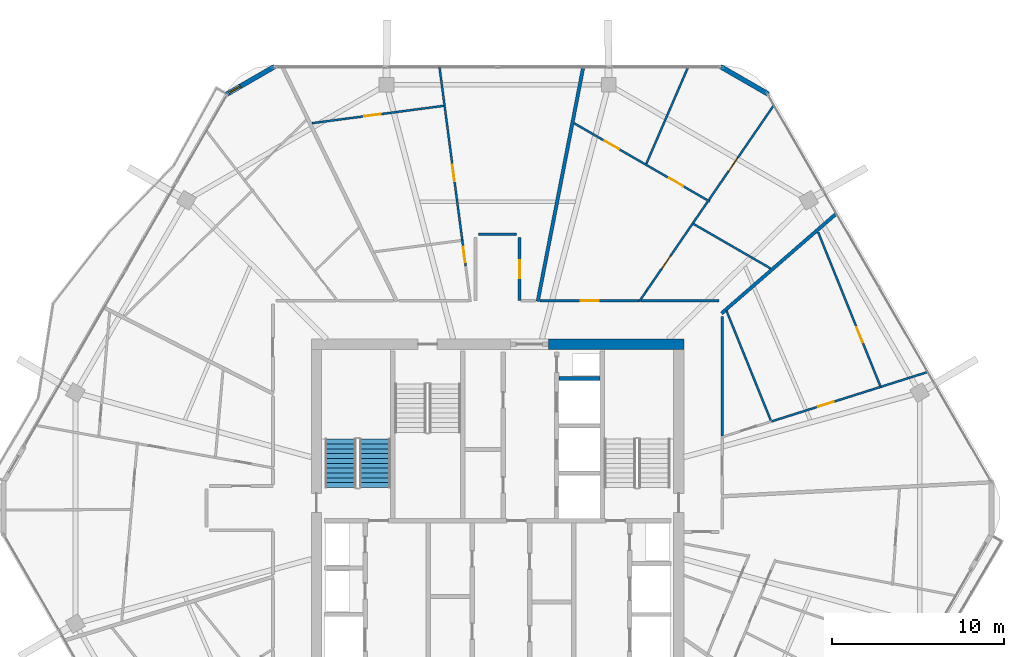
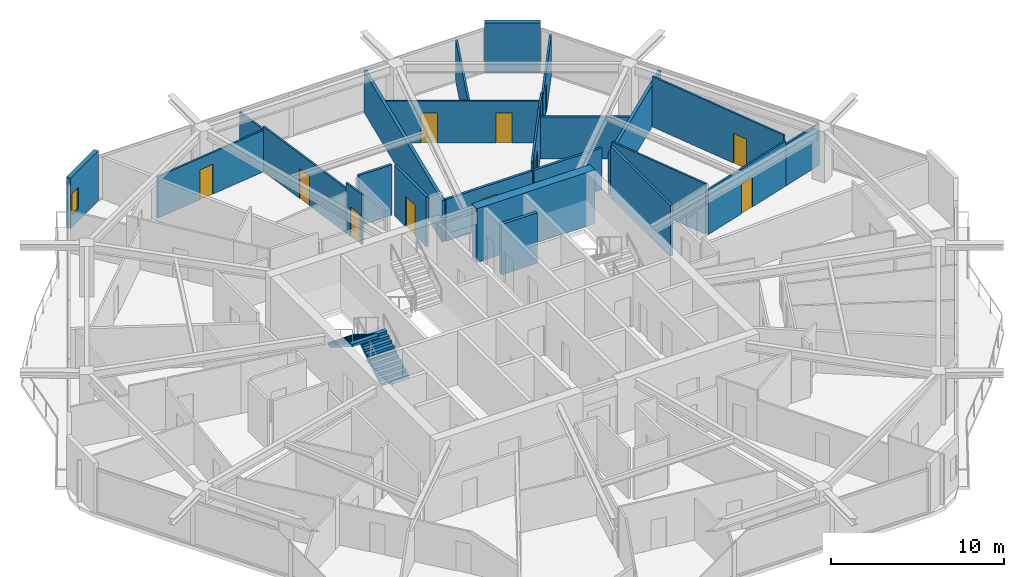
# One storey, part 22 of 26: 26 walls, 11 doors, 2 stair flights, 1 window, 12 openings, 1 element without a shape of its own.
"""IFC4 building model written with IfcOpenShell, lengths in metres."""

from ifc_helpers import new_model, si_unit, direction, frame, frame_2d, origin, place, context, subcontext, project, spatial, polyline, rectangle, outline, extrude, material, layer, layer_set, type_object, element, fill, aggregate, save


model = new_model("IFC4")

# Units and contexts
model_context = context("Model", 3, precision=1e-05, world=origin(), true_north=direction((0.0, 1.0)))
body_context = subcontext(model_context, "Body", "Model", "MODEL_VIEW")
ifc_project = project(units=[si_unit("LENGTHUNIT", "METRE"), si_unit("AREAUNIT", "SQUARE_METRE"), si_unit("VOLUMEUNIT", "CUBIC_METRE"), si_unit("PLANEANGLEUNIT", "RADIAN"), si_unit("MASSUNIT", "GRAM", prefix="KILO")], contexts=[model_context])

# Site, building, storey
site_placement = place(None, origin())
site = spatial("IfcSite", under=ifc_project, at=site_placement, CompositionType="ELEMENT")
building_placement = place(site_placement, origin())
building = spatial("IfcBuilding", under=site, at=building_placement, Name="Zuhravey Tower", CompositionType="ELEMENT")
storey_placement = place(building_placement, frame((0.0, 0.0, 280.60009765625)))
storey = spatial("IfcBuildingStorey", under=building, at=storey_placement, Name="L71", CompositionType="ELEMENT", Elevation=280.60009765625)

# Wall
ifc_material_1 = material(Name="Concrete C50/60", Category="concrete")
ifc_layer_1 = layer(ifc_material_1, 0.60009765625)
ifc_layer_set_1 = layer_set([ifc_layer_1], Name="Concrete C50/60")
wall_type_1 = type_object("IfcWallType", Name="Core Shear Wall 600", PredefinedType="SHEAR", material=ifc_layer_set_1)
wall_1_placement = place(storey_placement, frame((46.800048828125, 41.5, 0.0), z_axis=(0.0, 0.0, 1.0), x_axis=(-1.0, 0.0, 0.0)))
element("IfcWall", 1, at=wall_1_placement, inside=storey, type_object=wall_type_1, Name="L71 North-East Core Shear Wall CW60", PredefinedType="SHEAR", context=body_context, shape_type="SweptSolid", body=[
    extrude(rectangle(XDim=7.85009765625, YDim=0.60009765625, at=frame_2d((3.925048828125, 0.0))), origin(), (0.0, 0.0, 1.0), 3.7998046875),
])

# Wall, opening, door
ifc_material_2 = material(Name="Gypsum fire-rated stud partition")
ifc_layer_2 = layer(ifc_material_2, 0.159912109375)
ifc_layer_set_2 = layer_set([ifc_layer_2], Name="Gypsum fire-rated stud partition")
wall_type_2 = type_object("IfcWallType", Name="Corridor Fire Partition 160", PredefinedType="PARTITIONING", material=ifc_layer_set_2)
wall_2_placement = place(storey_placement, frame((44.22509765625, 44.030029296875, 0.0), z_axis=(0.0, 0.0, 1.0), x_axis=(-1.0, 0.0, 0.0)))
wall_2 = element("IfcWall", 2, at=wall_2_placement, inside=storey, type_object=wall_type_2, Name="L71 IW16 Partition 055", PredefinedType="PARTITIONING", context=body_context, shape_type="SweptSolid", body=[
    extrude(rectangle(XDim=5.757080078125, YDim=0.159912109375, at=frame_2d((2.87841796875, 0.0))), origin(), (0.0, 0.0, 1.0), 2.949951171875),
])
opening_1_placement = place(wall_2_placement, frame((2.353759765625, 0.0, 0.0)))
opening_1 = element("IfcOpeningElement", 3, at=opening_1_placement, cuts=wall_2, Name="Opening APD1", PredefinedType="OPENING", context=body_context, shape_type="SweptSolid", body=[
    extrude(rectangle(XDim=1.050048828125, YDim=2.14990234375, at=frame_2d((0.52490234375, 1.074951171875))), frame((0.0, 0.092041015625, 0.0), z_axis=(0.0, -1.0, 0.0), x_axis=(1.0, 0.0, 0.0)), (0.0, 0.0, 1.0), 0.183837890625),
])
ifc_material_3 = material(Name="Solid-core oak fire-rated leaf")
door_type_1 = type_object("IfcDoorType", Name="Apartment Entrance Fire Door 1050x2150", OperationType="NOTDEFINED", PredefinedType="DOOR", material=ifc_material_3)
door_1_placement = place(opening_1_placement, frame((1.050048828125, 0.0, 0.0), z_axis=(0.0, 0.0, 1.0), x_axis=(-1.0, 0.0, 0.0)))
door_1 = element("IfcDoor", 4, at=door_1_placement, inside=storey, type_object=door_type_1, Name="L71 Door 055.1", OperationType="SINGLE_SWING_RIGHT", OverallHeight=2.14990234375, OverallWidth=1.050048828125, PredefinedType="DOOR", context=body_context, shape_type="SweptSolid", body=[
    extrude(rectangle(XDim=1.050048828125, YDim=2.14990234375, at=frame_2d((0.52490234375, 1.074951171875))), frame((0.0, 0.02490234375, 0.0), z_axis=(0.0, -1.0, 0.0), x_axis=(1.0, 0.0, 0.0)), (0.0, 0.0, 1.0), 0.050048828125),
])
fill(opening_1, door_1)

wall_3_placement = place(storey_placement, frame((37.280029296875, 44.030029296875, 0.0), z_axis=(0.0, 0.0, 1.0), x_axis=(0.0, 1.0, 0.0)))
wall_3 = element("IfcWall", 5, at=wall_3_placement, inside=storey, type_object=wall_type_2, Name="L71 IW16 Partition 059", PredefinedType="PARTITIONING", context=body_context, shape_type="SweptSolid", body=[
    extrude(rectangle(XDim=3.669921875, YDim=0.159912109375, at=frame_2d((1.8349609375, 0.0))), origin(), (0.0, 0.0, 1.0), 3.5498046875),
])
opening_2_placement = place(wall_3_placement, frame((1.31005859375, 0.0, 0.0)))
opening_2 = element("IfcOpeningElement", 6, at=opening_2_placement, cuts=wall_3, Name="Opening APD1", PredefinedType="OPENING", context=body_context, shape_type="SweptSolid", body=[
    extrude(rectangle(XDim=1.050048828125, YDim=2.14990234375, at=frame_2d((0.52490234375, 1.074951171875))), frame((0.0, 0.092041015625, 0.0), z_axis=(0.0, -1.0, 0.0), x_axis=(1.0, 0.0, 0.0)), (0.0, 0.0, 1.0), 0.183837890625),
])
door_2_placement = place(opening_2_placement, origin())
door_2 = element("IfcDoor", 7, at=door_2_placement, inside=storey, type_object=door_type_1, Name="L71 Door 059.1", OperationType="SINGLE_SWING_RIGHT", OverallHeight=2.14990234375, OverallWidth=1.050048828125, PredefinedType="DOOR", context=body_context, shape_type="SweptSolid", body=[
    extrude(rectangle(XDim=1.050048828125, YDim=2.14990234375, at=frame_2d((0.52490234375, 1.074951171875))), frame((0.0, 0.02490234375, 0.0), z_axis=(0.0, -1.0, 0.0), x_axis=(1.0, 0.0, 0.0)), (0.0, 0.0, 1.0), 0.050048828125),
])
fill(opening_2, door_2)

# Walls
wall_4_placement = place(storey_placement, frame((49.030029296875, 36.194580078125, 0.0), z_axis=(0.0, 0.0, 1.0), x_axis=(0.0, 1.0, 0.0)))
element("IfcWall", 8, at=wall_4_placement, inside=storey, type_object=wall_type_2, Name="L71 IW16 Partition 130", PredefinedType="PARTITIONING", context=body_context, shape_type="SweptSolid", body=[
    extrude(rectangle(XDim=6.90771484375, YDim=0.159912109375, at=frame_2d((3.453857421875, 0.0))), origin(), (0.0, 0.0, 1.0), 3.5498046875),
])
wall_5_placement = place(storey_placement, frame((48.85009765625, 44.030029296875, 0.0), z_axis=(0.0, 0.0, 1.0), x_axis=(-1.0, 0.0, 0.0)))
element("IfcWall", 9, at=wall_5_placement, inside=storey, type_object=wall_type_2, Name="L71 IW16 Partition 131", PredefinedType="PARTITIONING", context=body_context, shape_type="SweptSolid", body=[
    extrude(rectangle(XDim=4.518310546875, YDim=0.159912109375, at=frame_2d((2.25927734375, 0.0))), origin(), (0.0, 0.0, 1.0), 2.949951171875),
])
wall_6_placement = place(storey_placement, frame((37.10009765625, 47.8798828125, 0.0), z_axis=(0.0, 0.0, 1.0), x_axis=(-1.0, 0.0, 0.0)))
element("IfcWall", 10, at=wall_6_placement, inside=storey, type_object=wall_type_2, Name="L71 IW16 Partition 133", PredefinedType="PARTITIONING", context=body_context, shape_type="SweptSolid", body=[
    extrude(rectangle(XDim=2.2001953125, YDim=0.159912109375, at=frame_2d((1.10009765625, 0.0))), origin(), (0.0, 0.0, 1.0), 3.5498046875),
])

# Wall, opening, window
ifc_material_4 = material(Name="Precast concrete C40/50", Category="concrete")
ifc_layer_3 = layer(ifc_material_4, 0.280029296875)
ifc_layer_set_3 = layer_set([ifc_layer_3], Name="Precast concrete C40/50")
wall_type_3 = type_object("IfcWallType", Name="Crown Architectural Wall 280", PredefinedType="SOLIDWALL", material=ifc_layer_set_3)
wall_7_placement = place(storey_placement, frame((20.285400390625, 56.003662109375, 0.0), z_axis=(0.0, 0.0, 1.0), x_axis=(0.866028773314, 0.499994163758, 0.0)))
wall_7 = element("IfcWall", 11, at=wall_7_placement, inside=storey, type_object=wall_type_3, Name="L71 Rounded Corner Closure Wall EW28-08", PredefinedType="SOLIDWALL", context=body_context, shape_type="SweptSolid", body=[
    extrude(rectangle(XDim=3.21484375, YDim=0.280029296875, at=frame_2d((1.607421875, 0.0))), origin(), (0.0, 0.0, 1.0), 3.5498046875),
])
opening_3_placement = place(wall_7_placement, frame((0.17578125, 0.0, 0.85009765625)))
opening_3 = element("IfcOpeningElement", 12, at=opening_3_placement, cuts=wall_7, Name="Opening WN5", PredefinedType="OPENING", context=body_context, shape_type="SweptSolid", body=[
    extrude(rectangle(XDim=0.75, YDim=1.5, at=frame_2d((0.375, 0.75))), frame((0.0, 0.152099609375, 0.0), z_axis=(0.0, -1.0, 0.0), x_axis=(1.0, 0.0, 0.0)), (0.0, 0.0, 1.0), 0.303955078125),
])
ifc_material_5 = material(Name="Thermally broken aluminium and triple low-E glass", Category="aluminium")
window_type = type_object("IfcWindowType", Name="Residential Corner Casement Window 750x1500", PartitioningType="SINGLE_PANEL", PredefinedType="WINDOW", material=ifc_material_5)
window_placement = place(opening_3_placement, origin())
window = element("IfcWindow", 13, at=window_placement, inside=storey, type_object=window_type, Name="L71 Corner Casement Window WN5-08.1", OverallHeight=1.5, OverallWidth=0.75, PartitioningType="SINGLE_PANEL", PredefinedType="WINDOW", context=body_context, shape_type="SweptSolid", body=[
    extrude(rectangle(XDim=0.75, YDim=1.5, at=frame_2d((0.375, 0.75))), frame((0.0, 0.030029296875, 0.0), z_axis=(0.0, -1.0, 0.0), x_axis=(1.0, 0.0, 0.0)), (0.0, 0.0, 1.0), 0.06005859375),
])
fill(opening_3, window)

# Walls
wall_8_placement = place(storey_placement, frame((48.930419921875, 57.611083984375, 0.0), z_axis=(0.0, 0.0, 1.0), x_axis=(0.866028773314, -0.499994163758, 0.0)))
element("IfcWall", 14, at=wall_8_placement, inside=storey, type_object=wall_type_3, Name="L71 Rounded Corner Closure Wall EW28-10", PredefinedType="SOLIDWALL", context=body_context, shape_type="SweptSolid", body=[
    extrude(rectangle(XDim=3.21484375, YDim=0.280029296875, at=frame_2d((1.607421875, 0.0))), origin(), (0.0, 0.0, 1.0), 3.5498046875),
])
ifc_material_6 = material(Name="Gypsum double-stud party assembly")
ifc_layer_4 = layer(ifc_material_6, 0.199951171875)
ifc_layer_set_4 = layer_set([ifc_layer_4], Name="Gypsum double-stud party assembly")
wall_type_4 = type_object("IfcWallType", Name="Inter-Tenancy Party Wall 200", PredefinedType="PARTITIONING", material=ifc_layer_set_4)
wall_9_placement = place(storey_placement, frame((48.989990234375, 43.2919921875, 0.0), z_axis=(0.0, 0.0, 1.0), x_axis=(0.754708486188, 0.656060287532, 0.0)))
element("IfcWall", 15, at=wall_9_placement, inside=storey, type_object=wall_type_4, Name="L71 IW20 Partition 102", PredefinedType="PARTITIONING", context=body_context, shape_type="SweptSolid", body=[
    extrude(rectangle(XDim=8.830322265625, YDim=0.199951171875, at=frame_2d((4.4150390625, 0.0))), origin(), (0.0, 0.0, 1.0), 2.929931640625),
])
wall_10_placement = place(storey_placement, frame((38.33056640625, 43.989990234375, 0.0), z_axis=(0.0, 0.0, 1.0), x_axis=(0.190806334077, 0.981627700748, 0.0)))
element("IfcWall", 16, at=wall_10_placement, inside=storey, type_object=wall_type_4, Name="L71 IW20 Partition 106", PredefinedType="PARTITIONING", context=body_context, shape_type="SweptSolid", body=[
    extrude(rectangle(XDim=13.827880859375, YDim=0.199951171875, at=frame_2d((6.9140625, 0.0))), origin(), (0.0, 0.0, 1.0), 2.929931640625),
])
ifc_material_7 = material(Name="Gypsum acoustic stud assembly")
ifc_layer_5 = layer(ifc_material_7, 0.219970703125)
ifc_layer_set_5 = layer_set([ifc_layer_5], Name="Gypsum acoustic stud assembly")
wall_type_5 = type_object("IfcWallType", Name="School Acoustic Compartment Wall 220", PredefinedType="PARTITIONING", material=ifc_layer_set_5)
wall_11_placement = place(storey_placement, frame((39.55810546875, 39.52490234375, 0.0), z_axis=(0.0, 0.0, 1.0), x_axis=(1.0, 0.0, 0.0)))
element("IfcWall", 17, at=wall_11_placement, inside=storey, type_object=wall_type_5, Name="L71 IW22 Partition 069", PredefinedType="PARTITIONING", context=body_context, shape_type="SweptSolid", body=[
    extrude(rectangle(XDim=2.3837890625, YDim=0.219970703125, at=frame_2d((1.19189453125, 0.0))), origin(), (0.0, 0.0, 1.0), 3.5498046875),
])

# Wall, opening, door
ifc_material_8 = material(Name="Gypsum metal-stud partition")
ifc_layer_6 = layer(ifc_material_8, 0.1201171875)
ifc_layer_set_6 = layer_set([ifc_layer_6], Name="Gypsum metal-stud partition")
wall_type_6 = type_object("IfcWallType", Name="Unit Internal Partition 120", PredefinedType="PARTITIONING", material=ifc_layer_set_6)
wall_12_placement = place(storey_placement, frame((51.896728515625, 37.030517578125, 0.0), z_axis=(0.0, 0.0, 1.0), x_axis=(0.953399562738, 0.301710579483, 0.0)))
wall_12 = element("IfcWall", 18, at=wall_12_placement, inside=storey, type_object=wall_type_6, Name="L71 IW12 Partition 048", PredefinedType="PARTITIONING", context=body_context, shape_type="SweptSolid", body=[
    extrude(rectangle(XDim=6.656494140625, YDim=0.1201171875, at=frame_2d((3.328125, 0.0))), origin(), (0.0, 0.0, 1.0), 3.14990234375),
])
opening_4_placement = place(wall_12_placement, frame((2.828125, 0.0, 0.0)))
opening_4 = element("IfcOpeningElement", 19, at=opening_4_placement, cuts=wall_12, Name="Opening IND1", PredefinedType="OPENING", context=body_context, shape_type="SweptSolid", body=[
    extrude(rectangle(XDim=0.949951171875, YDim=2.10009765625, at=frame_2d((0.47509765625, 1.050048828125))), frame((0.0, 0.072021484375, 0.0), z_axis=(0.0, -1.0, 0.0), x_axis=(1.0, 0.0, 0.0)), (0.0, 0.0, 1.0), 0.14404296875),
])
ifc_material_9 = material(Name="Painted engineered timber leaf", Category="wood")
door_type_2 = type_object("IfcDoorType", Name="Internal Room & Bedroom Door 950x2100", OperationType="NOTDEFINED", PredefinedType="DOOR", material=ifc_material_9)
door_3_placement = place(opening_4_placement, origin())
door_3 = element("IfcDoor", 20, at=door_3_placement, inside=storey, type_object=door_type_2, Name="Apartment L71-06 Home Office Door", OperationType="SINGLE_SWING_LEFT", OverallHeight=2.10009765625, OverallWidth=0.949951171875, PredefinedType="DOOR", context=body_context, shape_type="SweptSolid", body=[
    extrude(rectangle(XDim=0.949951171875, YDim=2.10009765625, at=frame_2d((0.47509765625, 1.050048828125))), frame((0.0, 0.02490234375, 0.0), z_axis=(0.0, -1.0, 0.0), x_axis=(1.0, 0.0, 0.0)), (0.0, 0.0, 1.0), 0.050048828125),
])
fill(opening_4, door_3)

wall_13_placement = place(storey_placement, frame((58.193603515625, 39.094482421875, 0.0), z_axis=(0.0, 0.0, 1.0), x_axis=(-0.374623406107, 0.927177061621, 0.0)))
wall_13 = element("IfcWall", 21, at=wall_13_placement, inside=storey, type_object=wall_type_6, Name="L71 IW12 Partition 049", PredefinedType="PARTITIONING", context=body_context, shape_type="SweptSolid", body=[
    extrude(rectangle(XDim=9.61572265625, YDim=0.1201171875, at=frame_2d((4.807861328125, 0.0))), origin(), (0.0, 0.0, 1.0), 3.5498046875),
])
opening_5_placement = place(wall_13_placement, frame((2.70849609375, 0.0, 0.0)))
opening_5 = element("IfcOpeningElement", 22, at=opening_5_placement, cuts=wall_13, Name="Opening IND1", PredefinedType="OPENING", context=body_context, shape_type="SweptSolid", body=[
    extrude(rectangle(XDim=0.949951171875, YDim=2.10009765625, at=frame_2d((0.47509765625, 1.050048828125))), frame((0.0, 0.072021484375, 0.0), z_axis=(0.0, -1.0, 0.0), x_axis=(1.0, 0.0, 0.0)), (0.0, 0.0, 1.0), 0.14404296875),
])
door_4_placement = place(opening_5_placement, frame((0.949951171875, 0.0, 0.0), z_axis=(0.0, 0.0, 1.0), x_axis=(-1.0, 0.0, 0.0)))
door_4 = element("IfcDoor", 23, at=door_4_placement, inside=storey, type_object=door_type_2, Name="Apartment L71-06 Bedroom 1 Door", OperationType="SINGLE_SWING_RIGHT", OverallHeight=2.10009765625, OverallWidth=0.949951171875, PredefinedType="DOOR", context=body_context, shape_type="SweptSolid", body=[
    extrude(rectangle(XDim=0.949951171875, YDim=2.10009765625, at=frame_2d((0.47509765625, 1.050048828125))), frame((0.0, 0.02490234375, 0.0), z_axis=(0.0, -1.0, 0.0), x_axis=(1.0, 0.0, 0.0)), (0.0, 0.0, 1.0), 0.050048828125),
])
fill(opening_5, door_4)

# Wall, openings, doors
wall_14_placement = place(storey_placement, frame((48.312255859375, 49.77783203125, 0.0), z_axis=(0.0, 0.0, 1.0), x_axis=(-0.866028157381, 0.499995230601, 0.0)))
wall_14 = element("IfcWall", 24, at=wall_14_placement, inside=storey, type_object=wall_type_6, Name="L71 IW12 Partition 051", PredefinedType="PARTITIONING", context=body_context, shape_type="SweptSolid", body=[
    extrude(rectangle(XDim=9.09033203125, YDim=0.1201171875, at=frame_2d((4.545166015625, 0.0))), origin(), (0.0, 0.0, 1.0), 2.949951171875),
])
opening_6_placement = place(wall_14_placement, frame((1.7861328125, 0.0, 0.0)))
opening_6 = element("IfcOpeningElement", 25, at=opening_6_placement, cuts=wall_14, Name="Opening IND1", PredefinedType="OPENING", context=body_context, shape_type="SweptSolid", body=[
    extrude(rectangle(XDim=0.949951171875, YDim=2.10009765625, at=frame_2d((0.47509765625, 1.050048828125))), frame((0.0, 0.072021484375, 0.0), z_axis=(0.0, -1.0, 0.0), x_axis=(1.0, 0.0, 0.0)), (0.0, 0.0, 1.0), 0.14404296875),
])
opening_7_placement = place(wall_14_placement, frame((6.090576171875, 0.0, 0.0)))
opening_7 = element("IfcOpeningElement", 26, at=opening_7_placement, cuts=wall_14, Name="Opening IND1", PredefinedType="OPENING", context=body_context, shape_type="SweptSolid", body=[
    extrude(rectangle(XDim=0.949951171875, YDim=2.10009765625, at=frame_2d((0.47509765625, 1.050048828125))), frame((0.0, 0.072021484375, 0.0), z_axis=(0.0, -1.0, 0.0), x_axis=(1.0, 0.0, 0.0)), (0.0, 0.0, 1.0), 0.14404296875),
])
door_5_placement = place(opening_6_placement, frame((0.949951171875, 0.0, 0.0), z_axis=(0.0, 0.0, 1.0), x_axis=(-1.0, 0.0, 0.0)))
door_5 = element("IfcDoor", 27, at=door_5_placement, inside=storey, type_object=door_type_2, Name="Apartment L71-07 Family Study Door", OperationType="SINGLE_SWING_RIGHT", OverallHeight=2.10009765625, OverallWidth=0.949951171875, PredefinedType="DOOR", context=body_context, shape_type="SweptSolid", body=[
    extrude(rectangle(XDim=0.949951171875, YDim=2.10009765625, at=frame_2d((0.47509765625, 1.050048828125))), frame((0.0, 0.02490234375, 0.0), z_axis=(0.0, -1.0, 0.0), x_axis=(1.0, 0.0, 0.0)), (0.0, 0.0, 1.0), 0.050048828125),
])
fill(opening_6, door_5)
door_6_placement = place(opening_7_placement, frame((0.949951171875, 0.0, 0.0), z_axis=(0.0, 0.0, 1.0), x_axis=(-1.0, 0.0, 0.0)))
door_6 = element("IfcDoor", 28, at=door_6_placement, inside=storey, type_object=door_type_2, Name="Apartment L71-07 Dining Room Door", OperationType="SINGLE_SWING_LEFT", OverallHeight=2.10009765625, OverallWidth=0.949951171875, PredefinedType="DOOR", context=body_context, shape_type="SweptSolid", body=[
    extrude(rectangle(XDim=0.949951171875, YDim=2.10009765625, at=frame_2d((0.47509765625, 1.050048828125))), frame((0.0, 0.02490234375, 0.0), z_axis=(0.0, -1.0, 0.0), x_axis=(1.0, 0.0, 0.0)), (0.0, 0.0, 1.0), 0.050048828125),
])
fill(opening_7, door_6)

# Wall, opening, door
wall_15_placement = place(storey_placement, frame((44.640380859375, 44.60009765625, 0.0), z_axis=(0.0, 0.0, 1.0), x_axis=(0.565580143748, 0.824693337549, 0.0)))
wall_15 = element("IfcWall", 29, at=wall_15_placement, inside=storey, type_object=wall_type_6, Name="L71 IW12 Partition 052", PredefinedType="PARTITIONING", context=body_context, shape_type="SweptSolid", body=[
    extrude(rectangle(XDim=4.763916015625, YDim=0.1201171875, at=frame_2d((2.3818359375, 0.0))), origin(), (0.0, 0.0, 1.0), 3.5498046875),
])
opening_8_placement = place(wall_15_placement, frame((1.55078125, 0.0, 0.0)))
opening_8 = element("IfcOpeningElement", 30, at=opening_8_placement, cuts=wall_15, Name="Opening WCD1", PredefinedType="OPENING", context=body_context, shape_type="SweptSolid", body=[
    extrude(rectangle(XDim=0.89990234375, YDim=2.10009765625, at=frame_2d((0.449951171875, 1.050048828125))), frame((0.0, 0.072021484375, 0.0), z_axis=(0.0, -1.0, 0.0), x_axis=(1.0, 0.0, 0.0)), (0.0, 0.0, 1.0), 0.14404296875),
])
ifc_material_10 = material(Name="Moisture-resistant timber leaf", Category="wood")
door_type_3 = type_object("IfcDoorType", Name="Bathroom & WC Internal Door 900x2100", OperationType="NOTDEFINED", PredefinedType="DOOR", material=ifc_material_10)
door_7_placement = place(opening_8_placement, frame((0.89990234375, 0.0, 0.0), z_axis=(0.0, 0.0, 1.0), x_axis=(-1.0, 0.0, 0.0)))
door_7 = element("IfcDoor", 31, at=door_7_placement, inside=storey, type_object=door_type_3, Name="Apartment L71-07 Bathroom Door", OperationType="SINGLE_SWING_RIGHT", OverallHeight=2.10009765625, OverallWidth=0.89990234375, PredefinedType="DOOR", context=body_context, shape_type="SweptSolid", body=[
    extrude(rectangle(XDim=0.89990234375, YDim=2.10009765625, at=frame_2d((0.449951171875, 1.050048828125))), frame((0.0, 0.02490234375, 0.0), z_axis=(0.0, -1.0, 0.0), x_axis=(1.0, 0.0, 0.0)), (0.0, 0.0, 1.0), 0.050048828125),
])
fill(opening_8, door_7)

# Wall
wall_16_placement = place(storey_placement, frame((47.33447265625, 48.529052734375, 0.0), z_axis=(0.0, 0.0, 1.0), x_axis=(0.565607068306, 0.824674871863, 0.0)))
element("IfcWall", 32, at=wall_16_placement, inside=storey, type_object=wall_type_6, Name="L71 IW12 Partition 053", PredefinedType="PARTITIONING", context=body_context, shape_type="SweptSolid", body=[
    extrude(rectangle(XDim=1.5068359375, YDim=0.1201171875, at=frame_2d((0.75341796875, 0.0))), origin(), (0.0, 0.0, 1.0), 3.5498046875),
])

# Wall, opening, door
wall_17_placement = place(storey_placement, frame((48.263916015625, 49.88427734375, 0.0), z_axis=(0.0, 0.0, 1.0), x_axis=(0.565549031971, 0.824714673349, 0.0)))
wall_17 = element("IfcWall", 33, at=wall_17_placement, inside=storey, type_object=wall_type_6, Name="L71 IW12 Partition 054", PredefinedType="PARTITIONING", context=body_context, shape_type="SweptSolid", body=[
    extrude(rectangle(XDim=6.654541015625, YDim=0.1201171875, at=frame_2d((3.3271484375, 0.0))), origin(), (0.0, 0.0, 1.0), 2.929931640625),
])
opening_9_placement = place(wall_17_placement, frame((2.005615234375, 0.0, 0.0)))
opening_9 = element("IfcOpeningElement", 34, at=opening_9_placement, cuts=wall_17, Name="Opening IND1", PredefinedType="OPENING", context=body_context, shape_type="SweptSolid", body=[
    extrude(rectangle(XDim=0.949951171875, YDim=2.10009765625, at=frame_2d((0.47509765625, 1.050048828125))), frame((0.0, 0.072021484375, 0.0), z_axis=(0.0, -1.0, 0.0), x_axis=(1.0, 0.0, 0.0)), (0.0, 0.0, 1.0), 0.14404296875),
])
door_8_placement = place(opening_9_placement, frame((0.949951171875, 0.0, 0.0), z_axis=(0.0, 0.0, 1.0), x_axis=(-1.0, 0.0, 0.0)))
door_8 = element("IfcDoor", 35, at=door_8_placement, inside=storey, type_object=door_type_2, Name="Apartment L71-07 Bedroom 1 Door", OperationType="SINGLE_SWING_LEFT", OverallHeight=2.10009765625, OverallWidth=0.949951171875, PredefinedType="DOOR", context=body_context, shape_type="SweptSolid", body=[
    extrude(rectangle(XDim=0.949951171875, YDim=2.10009765625, at=frame_2d((0.47509765625, 1.050048828125))), frame((0.0, 0.02490234375, 0.0), z_axis=(0.0, -1.0, 0.0), x_axis=(1.0, 0.0, 0.0)), (0.0, 0.0, 1.0), 0.050048828125),
])
fill(opening_9, door_8)

wall_18_placement = place(storey_placement, frame((34.14990234375, 46.052001953125, 0.0), z_axis=(0.0, 0.0, 1.0), x_axis=(-0.130446191053, 0.991455390444, 0.0)))
wall_18 = element("IfcWall", 36, at=wall_18_placement, inside=storey, type_object=wall_type_6, Name="L71 IW12 Partition 056", PredefinedType="PARTITIONING", context=body_context, shape_type="SweptSolid", body=[
    extrude(rectangle(XDim=1.517822265625, YDim=0.1201171875, at=frame_2d((0.7587890625, 0.0))), origin(), (0.0, 0.0, 1.0), 3.5498046875),
])
opening_10_placement = place(wall_18_placement, frame((0.199951171875, 0.0, 0.0)))
opening_10 = element("IfcOpeningElement", 37, at=opening_10_placement, cuts=wall_18, Name="Opening WCD1", PredefinedType="OPENING", context=body_context, shape_type="SweptSolid", body=[
    extrude(rectangle(XDim=0.89990234375, YDim=2.10009765625, at=frame_2d((0.449951171875, 1.050048828125))), frame((0.0, 0.072021484375, 0.0), z_axis=(0.0, -1.0, 0.0), x_axis=(1.0, 0.0, 0.0)), (0.0, 0.0, 1.0), 0.14404296875),
])
door_9_placement = place(opening_10_placement, origin())
door_9 = element("IfcDoor", 38, at=door_9_placement, inside=storey, type_object=door_type_3, Name="Apartment L71-08 Bathroom Door", OperationType="SINGLE_SWING_LEFT", OverallHeight=2.10009765625, OverallWidth=0.89990234375, PredefinedType="DOOR", context=body_context, shape_type="SweptSolid", body=[
    extrude(rectangle(XDim=0.89990234375, YDim=2.10009765625, at=frame_2d((0.449951171875, 1.050048828125))), frame((0.0, 0.02490234375, 0.0), z_axis=(0.0, -1.0, 0.0), x_axis=(1.0, 0.0, 0.0)), (0.0, 0.0, 1.0), 0.050048828125),
])
fill(opening_10, door_9)

wall_19_placement = place(storey_placement, frame((33.951904296875, 47.556884765625, 0.0), z_axis=(0.0, 0.0, 1.0), x_axis=(-0.130526693002, 0.991444795444, 0.0)))
wall_19 = element("IfcWall", 39, at=wall_19_placement, inside=storey, type_object=wall_type_6, Name="L71 IW12 Partition 057", PredefinedType="PARTITIONING", context=body_context, shape_type="SweptSolid", body=[
    extrude(rectangle(XDim=7.87451171875, YDim=0.1201171875, at=frame_2d((3.937255859375, 0.0))), origin(), (0.0, 0.0, 1.0), 3.14990234375),
])
opening_11_placement = place(wall_19_placement, frame((3.437255859375, 0.0, 0.0)))
opening_11 = element("IfcOpeningElement", 40, at=opening_11_placement, cuts=wall_19, Name="Opening IND1", PredefinedType="OPENING", context=body_context, shape_type="SweptSolid", body=[
    extrude(rectangle(XDim=0.949951171875, YDim=2.10009765625, at=frame_2d((0.47509765625, 1.050048828125))), frame((0.0, 0.072021484375, 0.0), z_axis=(0.0, -1.0, 0.0), x_axis=(1.0, 0.0, 0.0)), (0.0, 0.0, 1.0), 0.14404296875),
])
door_10_placement = place(opening_11_placement, origin())
door_10 = element("IfcDoor", 41, at=door_10_placement, inside=storey, type_object=door_type_2, Name="Apartment L71-08 Home Office Door", OperationType="SINGLE_SWING_RIGHT", OverallHeight=2.10009765625, OverallWidth=0.949951171875, PredefinedType="DOOR", context=body_context, shape_type="SweptSolid", body=[
    extrude(rectangle(XDim=0.949951171875, YDim=2.10009765625, at=frame_2d((0.47509765625, 1.050048828125))), frame((0.0, 0.02490234375, 0.0), z_axis=(0.0, -1.0, 0.0), x_axis=(1.0, 0.0, 0.0)), (0.0, 0.0, 1.0), 0.050048828125),
])
fill(opening_11, door_10)

wall_20_placement = place(storey_placement, frame((32.860107421875, 55.330322265625, 0.0), z_axis=(0.0, 0.0, 1.0), x_axis=(-0.991445968749, -0.130517780591, 0.0)))
wall_20 = element("IfcWall", 42, at=wall_20_placement, inside=storey, type_object=wall_type_6, Name="L71 IW12 Partition 058", PredefinedType="PARTITIONING", context=body_context, shape_type="SweptSolid", body=[
    extrude(rectangle(XDim=7.68603515625, YDim=0.1201171875, at=frame_2d((3.843017578125, 0.0))), origin(), (0.0, 0.0, 1.0), 2.929931640625),
])
opening_12_placement = place(wall_20_placement, frame((3.6767578125, 0.0, 0.0)))
opening_12 = element("IfcOpeningElement", 43, at=opening_12_placement, cuts=wall_20, Name="Opening IND1", PredefinedType="OPENING", context=body_context, shape_type="SweptSolid", body=[
    extrude(rectangle(XDim=0.949951171875, YDim=2.10009765625, at=frame_2d((0.47509765625, 1.050048828125))), frame((0.0, 0.072021484375, 0.0), z_axis=(0.0, -1.0, 0.0), x_axis=(1.0, 0.0, 0.0)), (0.0, 0.0, 1.0), 0.14404296875),
])
door_11_placement = place(opening_12_placement, frame((0.949951171875, 0.0, 0.0), z_axis=(0.0, 0.0, 1.0), x_axis=(-1.0, 0.0, 0.0)))
door_11 = element("IfcDoor", 44, at=door_11_placement, inside=storey, type_object=door_type_2, Name="Apartment L71-08 Bedroom 1 Door", OperationType="SINGLE_SWING_LEFT", OverallHeight=2.10009765625, OverallWidth=0.949951171875, PredefinedType="DOOR", context=body_context, shape_type="SweptSolid", body=[
    extrude(rectangle(XDim=0.949951171875, YDim=2.10009765625, at=frame_2d((0.47509765625, 1.050048828125))), frame((0.0, 0.02490234375, 0.0), z_axis=(0.0, -1.0, 0.0), x_axis=(1.0, 0.0, 0.0)), (0.0, 0.0, 1.0), 0.050048828125),
])
fill(opening_12, door_11)

# Walls
wall_21_placement = place(storey_placement, frame((58.242919921875, 39.038818359375, 0.0), z_axis=(0.0, 0.0, 1.0), x_axis=(0.953407887194, 0.301684273102, 0.0)))
element("IfcWall", 45, at=wall_21_placement, inside=storey, type_object=wall_type_6, Name="L71 IW12 Partition 100", PredefinedType="PARTITIONING", context=body_context, shape_type="SweptSolid", body=[
    extrude(rectangle(XDim=2.8525390625, YDim=0.1201171875, at=frame_2d((1.42626953125, 0.0))), origin(), (0.0, 0.0, 1.0), 2.929931640625),
])
wall_22_placement = place(storey_placement, frame((51.847412109375, 37.086181640625, 0.0), z_axis=(0.0, 0.0, 1.0), x_axis=(-0.374624981599, 0.927176425047, 0.0)))
element("IfcWall", 46, at=wall_22_placement, inside=storey, type_object=wall_type_6, Name="L71 IW12 Partition 101", PredefinedType="PARTITIONING", context=body_context, shape_type="SweptSolid", body=[
    extrude(rectangle(XDim=6.8798828125, YDim=0.1201171875, at=frame_2d((3.43994140625, 0.0))), origin(), (0.0, 0.0, 1.0), 3.5498046875),
])
wall_23_placement = place(storey_placement, frame((44.63232421875, 51.98095703125, 0.0), z_axis=(0.0, 0.0, 1.0), x_axis=(0.396601995109, 0.917990663065, 0.0)))
element("IfcWall", 47, at=wall_23_placement, inside=storey, type_object=wall_type_6, Name="L71 IW12 Partition 103", PredefinedType="PARTITIONING", context=body_context, shape_type="SweptSolid", body=[
    extrude(rectangle(XDim=6.114013671875, YDim=0.1201171875, at=frame_2d((3.05712890625, 0.0))), origin(), (0.0, 0.0, 1.0), 2.929931640625),
])
wall_24_placement = place(storey_placement, frame((44.22509765625, 43.99462890625, 0.0), z_axis=(0.0, 0.0, 1.0), x_axis=(0.565625284297, 0.824662378046, 0.0)))
element("IfcWall", 48, at=wall_24_placement, inside=storey, type_object=wall_type_6, Name="L71 IW12 Partition 104", PredefinedType="PARTITIONING", context=body_context, shape_type="SweptSolid", body=[
    extrude(rectangle(XDim=0.734130859375, YDim=0.1201171875, at=frame_2d((0.3671875, 0.0))), origin(), (0.0, 0.0, 1.0), 3.5498046875),
])
wall_25_placement = place(storey_placement, frame((51.83056640625, 45.904296875, 0.0), z_axis=(0.0, 0.0, 1.0), x_axis=(-0.866030548046, 0.499991089772, 0.0)))
element("IfcWall", 49, at=wall_25_placement, inside=storey, type_object=wall_type_6, Name="L71 IW12 Partition 105", PredefinedType="PARTITIONING", context=body_context, shape_type="SweptSolid", body=[
    extrude(rectangle(XDim=5.1396484375, YDim=0.1201171875, at=frame_2d((2.56982421875, 0.0))), origin(), (0.0, 0.0, 1.0), 2.949951171875),
])
wall_26_placement = place(storey_placement, frame((32.924072265625, 55.364013671875, 0.0), z_axis=(0.0, 0.0, 1.0), x_axis=(-0.130545396872, 0.991442332844, 0.0)))
element("IfcWall", 50, at=wall_26_placement, inside=storey, type_object=wall_type_6, Name="L71 IW12 Partition 108", PredefinedType="PARTITIONING", context=body_context, shape_type="SweptSolid", body=[
    extrude(rectangle(XDim=2.2236328125, YDim=0.1201171875, at=frame_2d((1.11181640625, 0.0))), origin(), (0.0, 0.0, 1.0), 2.929931640625),
])

# Stair, stair flights
ifc_material_11 = material(Name="Concrete C40/50", Category="concrete")
stair_type = type_object("IfcStairType", Name="Housing Storey Stair Assembly 3800", PredefinedType="HALF_TURN_STAIR", material=ifc_material_11)
stair_placement = place(storey_placement, origin())
stair = element("IfcStair", 51, at=stair_placement, inside=storey, type_object=stair_type, Name="L71 Core Exit Stair ST1", PredefinedType="HALF_TURN_STAIR")
stair_flight_type = type_object("IfcStairFlightType", Name="Housing Storey Stair Flight 3800", PredefinedType="STRAIGHT", material=ifc_material_11)
stair_flight_1_placement = place(storey_placement, frame((28.89990234375, 33.199951171875, 0.0), z_axis=(0.0, 0.0, 1.0), x_axis=(0.0, 1.0, 0.0)))
stair_flight_1 = element("IfcStairFlight", 52, at=stair_flight_1_placement, type_object=stair_flight_type, Name="ST1 flight 1", NumberOfRisers=11, NumberOfTreads=10, PredefinedType="STRAIGHT", RiserHeight=0.172727273, TreadLength=0.28, context=body_context, shape_type="SweptSolid", body=[
    extrude(outline(polyline([(0.0, 0.0), (0.0, 0.172607421875), (0.280029296875, 0.172607421875), (0.280029296875, 0.345458984375), (0.56005859375, 0.345458984375), (0.56005859375, 0.51806640625), (0.840087890625, 0.51806640625), (0.840087890625, 0.69091796875), (1.1201171875, 0.69091796875), (1.1201171875, 0.863525390625), (1.39990234375, 0.863525390625), (1.39990234375, 1.036376953125), (1.679931640625, 1.036376953125), (1.679931640625, 1.208984375), (1.9599609375, 1.208984375), (1.9599609375, 1.3818359375), (2.239990234375, 1.3818359375), (2.239990234375, 1.554443359375), (2.52001953125, 1.554443359375), (2.52001953125, 1.727294921875), (2.800048828125, 1.727294921875), (2.800048828125, 1.89990234375), (2.800048828125, 1.551025390625), (0.285400390625, 0.0), (0.0, 0.0)])), frame((0.0, 0.89990234375, 0.0), z_axis=(0.0, -1.0, 0.0), x_axis=(1.0, 0.0, 0.0)), (0.0, 0.0, 1.0), 1.800048828125),
])
stair_flight_2_placement = place(storey_placement, frame((26.89990234375, 36.0, 1.89990234375), z_axis=(0.0, 0.0, 1.0), x_axis=(0.0, -1.0, 0.0)))
stair_flight_2 = element("IfcStairFlight", 53, at=stair_flight_2_placement, type_object=stair_flight_type, Name="ST1 flight 2", NumberOfRisers=11, NumberOfTreads=10, PredefinedType="STRAIGHT", RiserHeight=0.172727273, TreadLength=0.28, context=body_context, shape_type="SweptSolid", body=[
    extrude(outline(polyline([(0.0, 0.0), (0.0, 0.172607421875), (0.280029296875, 0.172607421875), (0.280029296875, 0.345458984375), (0.56005859375, 0.345458984375), (0.56005859375, 0.51806640625), (0.840087890625, 0.51806640625), (0.840087890625, 0.69091796875), (1.1201171875, 0.69091796875), (1.1201171875, 0.863525390625), (1.39990234375, 0.863525390625), (1.39990234375, 1.036376953125), (1.679931640625, 1.036376953125), (1.679931640625, 1.208984375), (1.9599609375, 1.208984375), (1.9599609375, 1.3818359375), (2.239990234375, 1.3818359375), (2.239990234375, 1.554443359375), (2.52001953125, 1.554443359375), (2.52001953125, 1.727294921875), (2.800048828125, 1.727294921875), (2.800048828125, 1.89990234375), (2.800048828125, 1.551025390625), (0.285400390625, 0.0), (0.0, 0.0)])), frame((0.0, 0.89990234375, 0.0), z_axis=(0.0, -1.0, 0.0), x_axis=(1.0, 0.0, 0.0)), (0.0, 0.0, 1.0), 1.800048828125),
])
aggregate(stair, [stair_flight_1, stair_flight_2])

save(model, "model.ifc")
